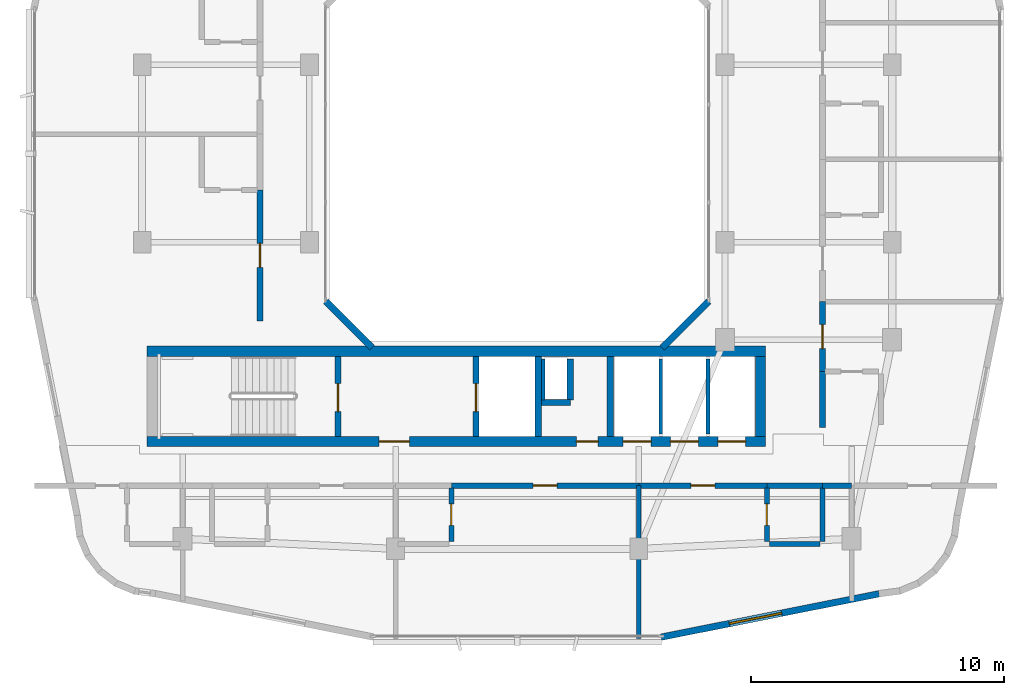
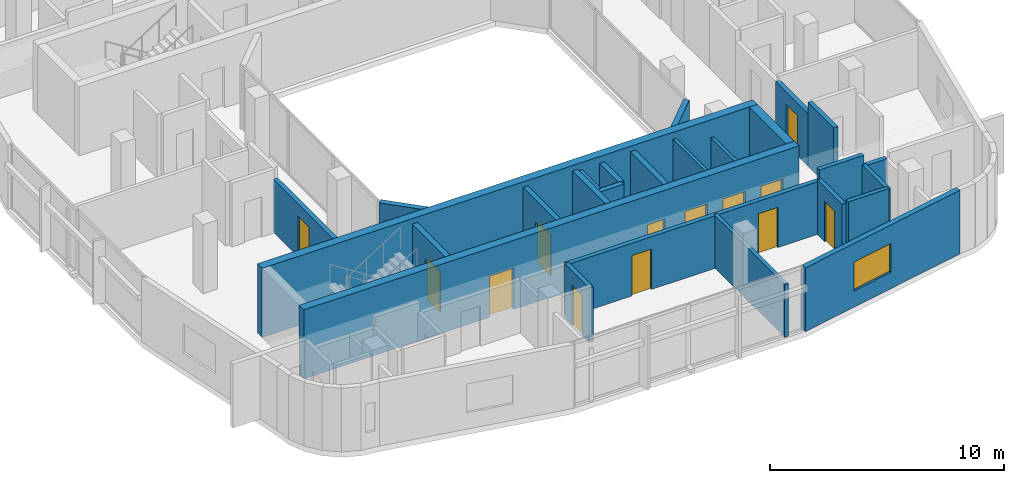
# One storey, part 7 of 14: 27 walls, 13 doors, 1 window, 14 openings.
"""IFC4 building model written with IfcOpenShell, lengths in metres."""

from ifc_helpers import new_model, si_unit, derived_unit, direction, frame, frame_2d, origin, place, context, subcontext, project, spatial, rectangle, extrude, material, layer, layer_set, type_object, element, fill, save


model = new_model("IFC4")

# Units and contexts
model_context = context("Model", 3, precision=1e-05, world=origin(), true_north=direction((0.0, 1.0)))
body_context = subcontext(model_context, "Body", "Model", "MODEL_VIEW")
ifc_project = project(units=[si_unit("LENGTHUNIT", "METRE"), si_unit("AREAUNIT", "SQUARE_METRE"), si_unit("VOLUMEUNIT", "CUBIC_METRE"), si_unit("PLANEANGLEUNIT", "RADIAN"), si_unit("MASSUNIT", "GRAM", prefix="KILO"), derived_unit("THERMALTRANSMITTANCEUNIT", [(si_unit("POWERUNIT", "WATT"), 1), (si_unit("LENGTHUNIT", "METRE"), -2), (si_unit("THERMODYNAMICTEMPERATUREUNIT", "KELVIN"), -1)])], contexts=[model_context])

# Site, building, storey
site_placement = place(None, origin())
site = spatial("IfcSite", under=ifc_project, at=site_placement, CompositionType="ELEMENT")
building_placement = place(site_placement, origin())
building = spatial("IfcBuilding", under=site, at=building_placement, Name="Kivonza Crest Hotel", CompositionType="ELEMENT")
storey_placement = place(building_placement, frame((0.0, 0.0, 227.89990234375)))
storey = spatial("IfcBuildingStorey", under=building, at=storey_placement, Name="L62", CompositionType="ELEMENT", Elevation=227.89990234375)

# Wall
ifc_material_1 = material(Name="High-density acoustic masonry inter-tenancy wall", Category="masonry")
ifc_layer_1 = layer(ifc_material_1, 0.179931640625)
ifc_layer_set_1 = layer_set([ifc_layer_1], Name="High-density acoustic masonry inter-tenancy wall")
wall_type_1 = type_object("IfcWallType", Name="WL-ACOU-180", PredefinedType="SOLIDWALL", material=ifc_layer_set_1)
wall_1_placement = place(storey_placement, frame((25.800048828125, 5.860107421875, 0.0), z_axis=(0.0, 0.0, 1.0), x_axis=(0.0, 1.0, 0.0)))
element("IfcWall", 1, at=wall_1_placement, inside=storey, type_object=wall_type_1, Name="L62 interior partition WA-L62-T1S-DIV3", PredefinedType="SOLIDWALL", context=body_context, shape_type="SweptSolid", body=[
    extrude(rectangle(XDim=6.039794921875, YDim=0.179931640625, at=frame_2d((3.02001953125, 0.0))), origin(), (0.0, 0.0, 1.0), 2.7451171875),
])

# Wall, opening, door
ifc_material_2 = material(Name="Autoclaved aerated concrete blockwork", Category="masonry")
ifc_layer_2 = layer(ifc_material_2, 0.219970703125)
ifc_layer_set_2 = layer_set([ifc_layer_2], Name="Autoclaved aerated concrete blockwork")
wall_type_2 = type_object("IfcWallType", Name="WL-ACOU-220", PredefinedType="SOLIDWALL", material=ifc_layer_set_2)
wall_2_placement = place(storey_placement, frame((18.39990234375, 11.89990234375, 0.0), z_axis=(0.0, 0.0, 1.0), x_axis=(1.0, 0.0, 0.0)))
wall_2 = element("IfcWall", 2, at=wall_2_placement, inside=storey, type_object=wall_type_2, Name="L62 interior partition WA-L62-S07-MCORR", PredefinedType="SOLIDWALL", context=body_context, shape_type="SweptSolid", body=[
    extrude(rectangle(XDim=7.400146484375, YDim=0.219970703125, at=frame_2d((3.7001953125, 0.0))), origin(), (0.0, 0.0, 1.0), 2.7451171875),
])
opening_1_placement = place(wall_2_placement, frame((3.22509765625, 0.0, 0.0)))
opening_1 = element("IfcOpeningElement", 3, at=opening_1_placement, cuts=wall_2, Name="Opening DU-60", PredefinedType="OPENING", context=body_context, shape_type="SweptSolid", body=[
    extrude(rectangle(XDim=0.949951171875, YDim=2.10009765625, at=frame_2d((0.47509765625, 1.050048828125))), frame((0.0, 0.1201171875, 0.0), z_axis=(0.0, -1.0, 0.0), x_axis=(1.0, 0.0, 0.0)), (0.0, 0.0, 1.0), 0.239990234375),
])
ifc_material_3 = material(Name="Hardwood timber oak", Category="wood")
door_type_1 = type_object("IfcDoorType", Name="DR-UNIT-950", OperationType="NOTDEFINED", PredefinedType="DOOR", material=ifc_material_3)
door_1_placement = place(opening_1_placement, frame((0.949951171875, 0.0, 0.0), z_axis=(0.0, 0.0, 1.0), x_axis=(-1.0, 0.0, 0.0)))
door_1 = element("IfcDoor", 4, at=door_1_placement, inside=storey, type_object=door_type_1, Name="L62 S07 guest unit entrance fire door", OperationType="SINGLE_SWING_LEFT", OverallHeight=2.10009765625, OverallWidth=0.949951171875, PredefinedType="DOOR", context=body_context, shape_type="SweptSolid", body=[
    extrude(rectangle(XDim=0.949951171875, YDim=2.10009765625, at=frame_2d((0.47509765625, 1.050048828125))), frame((0.0, 0.02490234375, 0.0), z_axis=(0.0, -1.0, 0.0), x_axis=(1.0, 0.0, 0.0)), (0.0, 0.0, 1.0), 0.050048828125),
])
fill(opening_1, door_1)

# Walls
wall_3_placement = place(storey_placement, frame((33.050048828125, 11.89990234375, 0.0), z_axis=(0.0, 0.0, 1.0), x_axis=(1.0, 0.0, 0.0)))
element("IfcWall", 5, at=wall_3_placement, inside=storey, type_object=wall_type_2, Name="L62 interior partition WA-L62-S08-XCORR", PredefinedType="SOLIDWALL", context=body_context, shape_type="SweptSolid", body=[
    extrude(rectangle(XDim=1.14990234375, YDim=0.219970703125, at=frame_2d((0.574951171875, 0.0))), origin(), (0.0, 0.0, 1.0), 2.7451171875),
])
wall_4_placement = place(storey_placement, frame((30.85009765625, 11.89990234375, 0.0), z_axis=(0.0, 0.0, 1.0), x_axis=(1.0, 0.0, 0.0)))
element("IfcWall", 6, at=wall_4_placement, inside=storey, type_object=wall_type_2, Name="L62 interior partition WA-L62-S08-BCORR", PredefinedType="SOLIDWALL", context=body_context, shape_type="SweptSolid", body=[
    extrude(rectangle(XDim=2.199951171875, YDim=0.219970703125, at=frame_2d((1.10009765625, 0.0))), origin(), (0.0, 0.0, 1.0), 3.320068359375),
])

# Wall, opening, door
wall_5_placement = place(storey_placement, frame((25.800048828125, 11.89990234375, 0.0), z_axis=(0.0, 0.0, 1.0), x_axis=(1.0, 0.0, 0.0)))
wall_5 = element("IfcWall", 7, at=wall_5_placement, inside=storey, type_object=wall_type_2, Name="L62 interior partition WA-L62-S08-MCORR", PredefinedType="SOLIDWALL", context=body_context, shape_type="SweptSolid", body=[
    extrude(rectangle(XDim=5.050048828125, YDim=0.219970703125, at=frame_2d((2.52490234375, 0.0))), origin(), (0.0, 0.0, 1.0), 2.7451171875),
])
opening_2_placement = place(wall_5_placement, frame((2.050048828125, 0.0, 0.0)))
opening_2 = element("IfcOpeningElement", 8, at=opening_2_placement, cuts=wall_5, Name="Opening DU-60", PredefinedType="OPENING", context=body_context, shape_type="SweptSolid", body=[
    extrude(rectangle(XDim=0.949951171875, YDim=2.10009765625, at=frame_2d((0.47509765625, 1.050048828125))), frame((0.0, 0.1201171875, 0.0), z_axis=(0.0, -1.0, 0.0), x_axis=(1.0, 0.0, 0.0)), (0.0, 0.0, 1.0), 0.239990234375),
])
door_2_placement = place(opening_2_placement, frame((0.949951171875, 0.0, 0.0), z_axis=(0.0, 0.0, 1.0), x_axis=(-1.0, 0.0, 0.0)))
door_2 = element("IfcDoor", 9, at=door_2_placement, inside=storey, type_object=door_type_1, Name="L62 S08 guest unit entrance fire door", OperationType="SINGLE_SWING_RIGHT", OverallHeight=2.10009765625, OverallWidth=0.949951171875, PredefinedType="DOOR", context=body_context, shape_type="SweptSolid", body=[
    extrude(rectangle(XDim=0.949951171875, YDim=2.10009765625, at=frame_2d((0.47509765625, 1.050048828125))), frame((0.0, 0.02490234375, 0.0), z_axis=(0.0, -1.0, 0.0), x_axis=(1.0, 0.0, 0.0)), (0.0, 0.0, 1.0), 0.050048828125),
])
fill(opening_2, door_2)

wall_6_placement = place(storey_placement, frame((10.85009765625, 18.39990234375, 0.0), z_axis=(0.0, 0.0, 1.0), x_axis=(0.0, 1.0, 0.0)))
wall_6 = element("IfcWall", 10, at=wall_6_placement, inside=storey, type_object=wall_type_2, Name="L62 interior partition WA-L62-W09-MCORR", PredefinedType="SOLIDWALL", context=body_context, shape_type="SweptSolid", body=[
    extrude(rectangle(XDim=5.170166015625, YDim=0.219970703125, at=frame_2d((2.5849609375, 0.0))), origin(), (0.0, 0.0, 1.0), 2.7451171875),
])
opening_3_placement = place(wall_6_placement, frame((2.110107421875, 0.0, 0.0)))
opening_3 = element("IfcOpeningElement", 11, at=opening_3_placement, cuts=wall_6, Name="Opening DU-60", PredefinedType="OPENING", context=body_context, shape_type="SweptSolid", body=[
    extrude(rectangle(XDim=0.949951171875, YDim=2.10009765625, at=frame_2d((0.47509765625, 1.050048828125))), frame((0.0, 0.1201171875, 0.0), z_axis=(0.0, -1.0, 0.0), x_axis=(1.0, 0.0, 0.0)), (0.0, 0.0, 1.0), 0.239990234375),
])
door_3_placement = place(opening_3_placement, origin())
door_3 = element("IfcDoor", 12, at=door_3_placement, inside=storey, type_object=door_type_1, Name="L62 W09 guest unit entrance fire door", OperationType="SINGLE_SWING_LEFT", OverallHeight=2.10009765625, OverallWidth=0.949951171875, PredefinedType="DOOR", context=body_context, shape_type="SweptSolid", body=[
    extrude(rectangle(XDim=0.949951171875, YDim=2.10009765625, at=frame_2d((0.47509765625, 1.050048828125))), frame((0.0, 0.02490234375, 0.0), z_axis=(0.0, -1.0, 0.0), x_axis=(1.0, 0.0, 0.0)), (0.0, 0.0, 1.0), 0.050048828125),
])
fill(opening_3, door_3)

# Wall
wall_7_placement = place(storey_placement, frame((33.050048828125, 14.199951171875, 0.0), z_axis=(0.0, 0.0, 1.0), x_axis=(0.0, 1.0, 0.0)))
element("IfcWall", 13, at=wall_7_placement, inside=storey, type_object=wall_type_2, Name="L62 interior partition WA-L62-E11-BCORR", PredefinedType="SOLIDWALL", context=body_context, shape_type="SweptSolid", body=[
    extrude(rectangle(XDim=2.199951171875, YDim=0.219970703125, at=frame_2d((1.10009765625, 0.0))), origin(), (0.0, 0.0, 1.0), 3.320068359375),
])

# Wall, opening, door
wall_8_placement = place(storey_placement, frame((33.050048828125, 16.39990234375, 0.0), z_axis=(0.0, 0.0, 1.0), x_axis=(0.0, 1.0, 0.0)))
wall_8 = element("IfcWall", 14, at=wall_8_placement, inside=storey, type_object=wall_type_2, Name="L62 interior partition WA-L62-E11-MCORR", PredefinedType="SOLIDWALL", context=body_context, shape_type="SweptSolid", body=[
    extrude(rectangle(XDim=2.756103515625, YDim=0.219970703125, at=frame_2d((1.3779296875, 0.0))), origin(), (0.0, 0.0, 1.0), 2.7451171875),
])
opening_4_placement = place(wall_8_placement, frame((0.903076171875, 0.0, 0.0)))
opening_4 = element("IfcOpeningElement", 15, at=opening_4_placement, cuts=wall_8, Name="Opening DU-60", PredefinedType="OPENING", context=body_context, shape_type="SweptSolid", body=[
    extrude(rectangle(XDim=0.949951171875, YDim=2.10009765625, at=frame_2d((0.47509765625, 1.050048828125))), frame((0.0, 0.1201171875, 0.0), z_axis=(0.0, -1.0, 0.0), x_axis=(1.0, 0.0, 0.0)), (0.0, 0.0, 1.0), 0.239990234375),
])
door_4_placement = place(opening_4_placement, frame((0.949951171875, 0.0, 0.0), z_axis=(0.0, 0.0, 1.0), x_axis=(-1.0, 0.0, 0.0)))
door_4 = element("IfcDoor", 16, at=door_4_placement, inside=storey, type_object=door_type_1, Name="L62 E11 guest unit entrance fire door", OperationType="SINGLE_SWING_LEFT", OverallHeight=2.10009765625, OverallWidth=0.949951171875, PredefinedType="DOOR", context=body_context, shape_type="SweptSolid", body=[
    extrude(rectangle(XDim=0.949951171875, YDim=2.10009765625, at=frame_2d((0.47509765625, 1.050048828125))), frame((0.0, 0.02490234375, 0.0), z_axis=(0.0, -1.0, 0.0), x_axis=(1.0, 0.0, 0.0)), (0.0, 0.0, 1.0), 0.050048828125),
])
fill(opening_4, door_4)

# Wall, openings, doors
ifc_material_4 = material(Name="Concrete C50/60", Category="concrete")
ifc_layer_3 = layer(ifc_material_4, 0.39990234375)
ifc_layer_set_3 = layer_set([ifc_layer_3], Name="Concrete C50/60")
wall_type_3 = type_object("IfcWallType", Name="WL-CORE-400", PredefinedType="SHEAR", material=ifc_layer_set_3)
wall_9_placement = place(storey_placement, frame((6.39990234375, 13.639892578125, 0.0), z_axis=(0.0, 0.0, 1.0), x_axis=(1.0, 0.0, 0.0)))
wall_9 = element("IfcWall", 17, at=wall_9_placement, inside=storey, type_object=wall_type_3, Name="Core wall T1-S South L62", PredefinedType="SHEAR", context=body_context, shape_type="SweptSolid", body=[
    extrude(rectangle(XDim=24.400146484375, YDim=0.39990234375, at=frame_2d((12.2001953125, 0.0))), origin(), (0.0, 0.0, 1.0), 3.60009765625),
])
opening_5_placement = place(wall_9_placement, frame((9.14990234375, 0.0, 0.0)))
opening_5 = element("IfcOpeningElement", 18, at=opening_5_placement, cuts=wall_9, Name="Opening DF-60", PredefinedType="OPENING", context=body_context, shape_type="SweptSolid", body=[
    extrude(rectangle(XDim=1.199951171875, YDim=2.14990234375, at=frame_2d((0.60009765625, 1.074951171875))), frame((0.0, 0.2099609375, 0.0), z_axis=(0.0, -1.0, 0.0), x_axis=(1.0, 0.0, 0.0)), (0.0, 0.0, 1.0), 0.419921875),
])
opening_6_placement = place(wall_9_placement, frame((16.93994140625, 0.0, 0.0)))
opening_6 = element("IfcOpeningElement", 19, at=opening_6_placement, cuts=wall_9, Name="Opening DF-60R", PredefinedType="OPENING", context=body_context, shape_type="SweptSolid", body=[
    extrude(rectangle(XDim=0.85009765625, YDim=2.10009765625, at=frame_2d((0.425048828125, 1.050048828125))), frame((0.0, 0.2099609375, 0.0), z_axis=(0.0, -1.0, 0.0), x_axis=(1.0, 0.0, 0.0)), (0.0, 0.0, 1.0), 0.419921875),
])
opening_7_placement = place(wall_9_placement, frame((18.782958984375, 0.0, 0.0)))
opening_7 = element("IfcOpeningElement", 20, at=opening_7_placement, cuts=wall_9, Name="Opening LD-120", PredefinedType="OPENING", context=body_context, shape_type="SweptSolid", body=[
    extrude(rectangle(XDim=1.10009765625, YDim=2.14990234375, at=frame_2d((0.550048828125, 1.074951171875))), frame((0.0, 0.2099609375, 0.0), z_axis=(0.0, -1.0, 0.0), x_axis=(1.0, 0.0, 0.0)), (0.0, 0.0, 1.0), 0.419921875),
])
opening_8_placement = place(wall_9_placement, frame((20.64990234375, 0.0, 0.0)))
opening_8 = element("IfcOpeningElement", 21, at=opening_8_placement, cuts=wall_9, Name="Opening LD-120", PredefinedType="OPENING", context=body_context, shape_type="SweptSolid", body=[
    extrude(rectangle(XDim=1.10009765625, YDim=2.14990234375, at=frame_2d((0.550048828125, 1.074951171875))), frame((0.0, 0.2099609375, 0.0), z_axis=(0.0, -1.0, 0.0), x_axis=(1.0, 0.0, 0.0)), (0.0, 0.0, 1.0), 0.419921875),
])
opening_9_placement = place(wall_9_placement, frame((22.51708984375, 0.0, 0.0)))
opening_9 = element("IfcOpeningElement", 22, at=opening_9_placement, cuts=wall_9, Name="Opening LD-120", PredefinedType="OPENING", context=body_context, shape_type="SweptSolid", body=[
    extrude(rectangle(XDim=1.10009765625, YDim=2.14990234375, at=frame_2d((0.550048828125, 1.074951171875))), frame((0.0, 0.2099609375, 0.0), z_axis=(0.0, -1.0, 0.0), x_axis=(1.0, 0.0, 0.0)), (0.0, 0.0, 1.0), 0.419921875),
])
door_type_2 = type_object("IfcDoorType", Name="DR-FD60-1200", OperationType="NOTDEFINED", PredefinedType="DOOR", material=ifc_material_3)
door_5_placement = place(opening_5_placement, frame((1.199951171875, 0.0, 0.0), z_axis=(0.0, 0.0, 1.0), x_axis=(-1.0, 0.0, 0.0)))
door_5 = element("IfcDoor", 23, at=door_5_placement, inside=storey, type_object=door_type_2, Name="L62 T1-S firefighting lobby fire door", OperationType="SINGLE_SWING_LEFT", OverallHeight=2.14990234375, OverallWidth=1.199951171875, PredefinedType="DOOR", context=body_context, shape_type="SweptSolid", body=[
    extrude(rectangle(XDim=1.199951171875, YDim=2.14990234375, at=frame_2d((0.60009765625, 1.074951171875))), frame((0.0, 0.02490234375, 0.0), z_axis=(0.0, -1.0, 0.0), x_axis=(1.0, 0.0, 0.0)), (0.0, 0.0, 1.0), 0.050048828125),
])
fill(opening_5, door_5)
door_type_3 = type_object("IfcDoorType", Name="DR-FD60-850", OperationType="NOTDEFINED", PredefinedType="DOOR", material=ifc_material_3)
door_6_placement = place(opening_6_placement, frame((0.85009765625, 0.0, 0.0), z_axis=(0.0, 0.0, 1.0), x_axis=(-1.0, 0.0, 0.0)))
door_6 = element("IfcDoor", 24, at=door_6_placement, inside=storey, type_object=door_type_3, Name="L62 T1-S core room door", OperationType="SINGLE_SWING_RIGHT", OverallHeight=2.10009765625, OverallWidth=0.85009765625, PredefinedType="DOOR", context=body_context, shape_type="SweptSolid", body=[
    extrude(rectangle(XDim=0.85009765625, YDim=2.10009765625, at=frame_2d((0.425048828125, 1.050048828125))), frame((0.0, 0.02490234375, 0.0), z_axis=(0.0, -1.0, 0.0), x_axis=(1.0, 0.0, 0.0)), (0.0, 0.0, 1.0), 0.050048828125),
])
fill(opening_6, door_6)
ifc_material_5 = material(Name="Stainless steel", Category="steel")
door_type_4 = type_object("IfcDoorType", Name="DR-LD120-1100", OperationType="NOTDEFINED", PredefinedType="DOOR", material=ifc_material_5)
door_7_placement = place(opening_7_placement, frame((1.10009765625, 0.0, 0.0), z_axis=(0.0, 0.0, 1.0), x_axis=(-1.0, 0.0, 0.0)))
door_7 = element("IfcDoor", 25, at=door_7_placement, inside=storey, type_object=door_type_4, Name="L62 PL-T1-H1 passenger lift sliding landing door", OperationType="DOUBLE_DOOR_SLIDING", OverallHeight=2.14990234375, OverallWidth=1.10009765625, PredefinedType="DOOR", context=body_context, shape_type="SweptSolid", body=[
    extrude(rectangle(XDim=1.10009765625, YDim=2.14990234375, at=frame_2d((0.550048828125, 1.074951171875))), frame((0.0, 0.02490234375, 0.0), z_axis=(0.0, -1.0, 0.0), x_axis=(1.0, 0.0, 0.0)), (0.0, 0.0, 1.0), 0.050048828125),
])
fill(opening_7, door_7)
door_8_placement = place(opening_8_placement, frame((1.10009765625, 0.0, 0.0), z_axis=(0.0, 0.0, 1.0), x_axis=(-1.0, 0.0, 0.0)))
door_8 = element("IfcDoor", 26, at=door_8_placement, inside=storey, type_object=door_type_4, Name="L62 PL-T1-H2 passenger lift sliding landing door", OperationType="DOUBLE_DOOR_SLIDING", OverallHeight=2.14990234375, OverallWidth=1.10009765625, PredefinedType="DOOR", context=body_context, shape_type="SweptSolid", body=[
    extrude(rectangle(XDim=1.10009765625, YDim=2.14990234375, at=frame_2d((0.550048828125, 1.074951171875))), frame((0.0, 0.02490234375, 0.0), z_axis=(0.0, -1.0, 0.0), x_axis=(1.0, 0.0, 0.0)), (0.0, 0.0, 1.0), 0.050048828125),
])
fill(opening_8, door_8)
door_9_placement = place(opening_9_placement, frame((1.10009765625, 0.0, 0.0), z_axis=(0.0, 0.0, 1.0), x_axis=(-1.0, 0.0, 0.0)))
door_9 = element("IfcDoor", 27, at=door_9_placement, inside=storey, type_object=door_type_4, Name="L62 PL-T1-H3 passenger lift sliding landing door", OperationType="DOUBLE_DOOR_SLIDING", OverallHeight=2.14990234375, OverallWidth=1.10009765625, PredefinedType="DOOR", context=body_context, shape_type="SweptSolid", body=[
    extrude(rectangle(XDim=1.10009765625, YDim=2.14990234375, at=frame_2d((0.550048828125, 1.074951171875))), frame((0.0, 0.02490234375, 0.0), z_axis=(0.0, -1.0, 0.0), x_axis=(1.0, 0.0, 0.0)), (0.0, 0.0, 1.0), 0.050048828125),
])
fill(opening_9, door_9)

# Walls
wall_10_placement = place(storey_placement, frame((6.39990234375, 17.199951171875, 0.0), z_axis=(0.0, 0.0, 1.0), x_axis=(1.0, 0.0, 0.0)))
element("IfcWall", 28, at=wall_10_placement, inside=storey, type_object=wall_type_3, Name="Core wall T1-S North L62", PredefinedType="SHEAR", context=body_context, shape_type="SweptSolid", body=[
    extrude(rectangle(XDim=24.400146484375, YDim=0.39990234375, at=frame_2d((12.2001953125, 0.0))), origin(), (0.0, 0.0, 1.0), 3.60009765625),
])
wall_11_placement = place(storey_placement, frame((30.60009765625, 13.840087890625, 0.0), z_axis=(0.0, 0.0, 1.0), x_axis=(0.0, 1.0, 0.0)))
element("IfcWall", 29, at=wall_11_placement, inside=storey, type_object=wall_type_3, Name="Core wall T1-S East L62", PredefinedType="SHEAR", context=body_context, shape_type="SweptSolid", body=[
    extrude(rectangle(XDim=3.159912109375, YDim=0.39990234375, at=frame_2d((1.580078125, 0.0))), origin(), (0.0, 0.0, 1.0), 3.60009765625),
])

# Wall, opening, window
ifc_material_6 = material(Name="Precast concrete C40/50", Category="concrete")
ifc_layer_4 = layer(ifc_material_6, 0.260009765625)
ifc_layer_set_4 = layer_set([ifc_layer_4], Name="Precast concrete C40/50")
wall_type_4 = type_object("IfcWallType", Name="WL-EXT-260", PredefinedType="STANDARD", material=ifc_layer_set_4)
wall_12_placement = place(storey_placement, frame((26.680908203125, 5.916015625, 0.0), z_axis=(0.0, 0.0, 1.0), x_axis=(0.980745199176, 0.195291715883, 0.0)))
wall_12 = element("IfcWall", 30, at=wall_12_placement, inside=storey, type_object=wall_type_4, Name="L62 T1 exterior insulated wall 9", PredefinedType="STANDARD", context=body_context, shape_type="SweptSolid", body=[
    extrude(rectangle(XDim=8.77099609375, YDim=0.260009765625, at=frame_2d((4.385498046875, 0.0))), origin(), (0.0, 0.0, 1.0), 3.320068359375),
])
opening_10_placement = place(wall_12_placement, frame((2.74609375, 0.0, 0.85009765625)))
opening_10 = element("IfcOpeningElement", 31, at=opening_10_placement, cuts=wall_12, Name="Opening WN-04", PredefinedType="OPENING", context=body_context, shape_type="SweptSolid", body=[
    extrude(rectangle(XDim=2.10009765625, YDim=1.5, at=frame_2d((1.050048828125, 0.75))), frame((0.0, 0.14013671875, 0.0), z_axis=(0.0, -1.0, 0.0), x_axis=(1.0, 0.0, 0.0)), (0.0, 0.0, 1.0), 0.280029296875),
])
ifc_material_7 = material(Name="Thermally broken bronze aluminium and low-E double glazing", Category="aluminium")
window_type = type_object("IfcWindowType", Name="WN-210x150", PartitioningType="DOUBLE_PANEL_VERTICAL", PredefinedType="WINDOW", material=ifc_material_7)
window_placement = place(opening_10_placement, origin())
window = element("IfcWindow", 32, at=window_placement, inside=storey, type_object=window_type, Name="L62 T1 facade window 9", OverallHeight=1.5, OverallWidth=2.10009765625, PartitioningType="SINGLE_PANEL", PredefinedType="WINDOW", context=body_context, shape_type="SweptSolid", body=[
    extrude(rectangle(XDim=2.10009765625, YDim=1.5, at=frame_2d((1.050048828125, 0.75))), frame((0.0, 0.030029296875, 0.0), z_axis=(0.0, -1.0, 0.0), x_axis=(1.0, 0.0, 0.0)), (0.0, 0.0, 1.0), 0.06005859375),
])
fill(opening_10, window)

# Walls
for number, where, z_axis, x_axis, name in (
    (33, (26.721923828125, 17.337890625, 0.0), (0.0, 0.0, 1.0), (0.707059717605, 0.707153841636, 0.0), "L62 T1 light-well exterior wall 2"),
    (34, (13.444091796875, 19.172119140625, 0.0), (0.0, 0.0, 1.0), (0.707059717605, -0.707153841636, 0.0), "L62 T1 light-well exterior wall 8"),
):
    element("IfcWall", number, at=place(storey_placement, frame(where, z_axis=z_axis, x_axis=x_axis)), inside=storey, type_object=wall_type_4, Name=name, PredefinedType="STANDARD", context=body_context, shape_type="SweptSolid", body=[
        extrude(rectangle(XDim=2.59375, YDim=0.260009765625, at=frame_2d((1.296875, 0.0))), origin(), (0.0, 0.0, 1.0), 3.320068359375),
    ])
ifc_material_8 = material(Name="Concrete blockwork fire-compartment wall", Category="masonry")
ifc_layer_5 = layer(ifc_material_8, 0.25)
ifc_layer_set_5 = layer_set([ifc_layer_5], Name="Concrete blockwork fire-compartment wall")
wall_type_5 = type_object("IfcWallType", Name="WL-FIRE-250", PredefinedType="SOLIDWALL", material=ifc_layer_set_5)
wall_13_placement = place(storey_placement, frame((23.10009765625, 15.280029296875, 0.0), z_axis=(0.0, 0.0, 1.0), x_axis=(0.0, 1.0, 0.0)))
element("IfcWall", 35, at=wall_13_placement, inside=storey, type_object=wall_type_5, Name="L62 interior partition WA-L62-T1-S-MEPR-E", PredefinedType="SOLIDWALL", context=body_context, shape_type="SweptSolid", body=[
    extrude(rectangle(XDim=1.619873046875, YDim=0.25, at=frame_2d((0.81005859375, 0.0))), origin(), (0.0, 0.0, 1.0), 3.320068359375),
])
wall_14_placement = place(storey_placement, frame((21.949951171875, 15.179931640625, 0.0), z_axis=(0.0, 0.0, 1.0), x_axis=(1.0, 0.0, 0.0)))
element("IfcWall", 36, at=wall_14_placement, inside=storey, type_object=wall_type_5, Name="L62 interior partition WA-L62-T1-S-MEPR-H", PredefinedType="SOLIDWALL", context=body_context, shape_type="SweptSolid", body=[
    extrude(rectangle(XDim=1.150146484375, YDim=0.25, at=frame_2d((0.5751953125, 0.0))), origin(), (0.0, 0.0, 1.0), 3.320068359375),
])
ifc_material_9 = material(Name="Twin-stud acoustic gypsum board partition", Category="gypsum")
ifc_layer_6 = layer(ifc_material_9, 0.14990234375)
ifc_layer_set_6 = layer_set([ifc_layer_6], Name="Twin-stud acoustic gypsum board partition")
wall_type_6 = type_object("IfcWallType", Name="WL-PART-150", PredefinedType="PARTITIONING", material=ifc_layer_set_6)
wall_15_placement = place(storey_placement, frame((22.030029296875, 15.280029296875, 0.0), z_axis=(0.0, 0.0, 1.0), x_axis=(0.0, 1.0, 0.0)))
element("IfcWall", 37, at=wall_15_placement, inside=storey, type_object=wall_type_6, Name="L62 interior partition WA-L62-T1-S-MEPR-W", PredefinedType="PARTITIONING", context=body_context, shape_type="SweptSolid", body=[
    extrude(rectangle(XDim=1.619873046875, YDim=0.14990234375, at=frame_2d((0.81005859375, 0.0))), origin(), (0.0, 0.0, 1.0), 3.320068359375),
])
wall_16_placement = place(storey_placement, frame((26.6669921875, 13.93994140625, 0.0), z_axis=(0.0, 0.0, 1.0), x_axis=(0.0, 1.0, 0.0)))
element("IfcWall", 38, at=wall_16_placement, inside=storey, type_object=wall_type_6, Name="L62 interior partition WP-L62-T1-S-BSH-1", PredefinedType="PARTITIONING", context=body_context, shape_type="SweptSolid", body=[
    extrude(rectangle(XDim=2.9599609375, YDim=0.14990234375, at=frame_2d((1.47998046875, 0.0))), origin(), (0.0, 0.0, 1.0), 3.320068359375),
])
wall_17_placement = place(storey_placement, frame((28.532958984375, 13.93994140625, 0.0), z_axis=(0.0, 0.0, 1.0), x_axis=(0.0, 1.0, 0.0)))
element("IfcWall", 39, at=wall_17_placement, inside=storey, type_object=wall_type_6, Name="L62 interior partition WP-L62-T1-S-BSH-2", PredefinedType="PARTITIONING", context=body_context, shape_type="SweptSolid", body=[
    extrude(rectangle(XDim=2.9599609375, YDim=0.14990234375, at=frame_2d((1.47998046875, 0.0))), origin(), (0.0, 0.0, 1.0), 2.7451171875),
])

# Wall, opening, door
ifc_material_10 = material(Name="Moisture-resistant plumbing chase partition wall", Category="gypsum")
ifc_layer_7 = layer(ifc_material_10, 0.199951171875)
ifc_layer_set_7 = layer_set([ifc_layer_7], Name="Moisture-resistant plumbing chase partition wall")
wall_type_7 = type_object("IfcWallType", Name="WL-PLUMB-200", PredefinedType="PLUMBINGWALL", material=ifc_layer_set_7)
wall_18_placement = place(storey_placement, frame((18.39990234375, 9.699951171875, 0.0), z_axis=(0.0, 0.0, 1.0), x_axis=(0.0, 1.0, 0.0)))
wall_18 = element("IfcWall", 40, at=wall_18_placement, inside=storey, type_object=wall_type_7, Name="L62 interior partition WW-L62-S07-BV", PredefinedType="PLUMBINGWALL", context=body_context, shape_type="SweptSolid", body=[
    extrude(rectangle(XDim=2.10009765625, YDim=0.199951171875, at=frame_2d((1.050048828125, 0.0))), origin(), (0.0, 0.0, 1.0), 2.84521484375),
])
opening_11_placement = place(wall_18_placement, frame((0.625, 0.0, 0.0)))
opening_11 = element("IfcOpeningElement", 41, at=opening_11_placement, cuts=wall_18, Name="Opening DI-85", PredefinedType="OPENING", context=body_context, shape_type="SweptSolid", body=[
    extrude(rectangle(XDim=0.85009765625, YDim=2.10009765625, at=frame_2d((0.425048828125, 1.050048828125))), frame((0.0, 0.10986328125, 0.0), z_axis=(0.0, -1.0, 0.0), x_axis=(1.0, 0.0, 0.0)), (0.0, 0.0, 1.0), 0.219970703125),
])
door_type_5 = type_object("IfcDoorType", Name="DR-INT-850", OperationType="NOTDEFINED", PredefinedType="DOOR", material=ifc_material_3)
door_10_placement = place(opening_11_placement, frame((0.85009765625, 0.0, 0.0), z_axis=(0.0, 0.0, 1.0), x_axis=(-1.0, 0.0, 0.0)))
door_10 = element("IfcDoor", 42, at=door_10_placement, inside=storey, type_object=door_type_5, Name="L62 S07 en-suite bathroom door", OperationType="SINGLE_SWING_RIGHT", OverallHeight=2.10009765625, OverallWidth=0.85009765625, PredefinedType="DOOR", context=body_context, shape_type="SweptSolid", body=[
    extrude(rectangle(XDim=0.85009765625, YDim=2.10009765625, at=frame_2d((0.425048828125, 1.050048828125))), frame((0.0, 0.02490234375, 0.0), z_axis=(0.0, -1.0, 0.0), x_axis=(1.0, 0.0, 0.0)), (0.0, 0.0, 1.0), 0.050048828125),
])
fill(opening_11, door_10)

wall_19_placement = place(storey_placement, frame((30.85009765625, 9.699951171875, 0.0), z_axis=(0.0, 0.0, 1.0), x_axis=(0.0, 1.0, 0.0)))
wall_19 = element("IfcWall", 43, at=wall_19_placement, inside=storey, type_object=wall_type_7, Name="L62 interior partition WW-L62-S08-BV", PredefinedType="PLUMBINGWALL", context=body_context, shape_type="SweptSolid", body=[
    extrude(rectangle(XDim=2.10009765625, YDim=0.199951171875, at=frame_2d((1.050048828125, 0.0))), origin(), (0.0, 0.0, 1.0), 2.84521484375),
])
opening_12_placement = place(wall_19_placement, frame((0.625, 0.0, 0.0)))
opening_12 = element("IfcOpeningElement", 44, at=opening_12_placement, cuts=wall_19, Name="Opening DI-85", PredefinedType="OPENING", context=body_context, shape_type="SweptSolid", body=[
    extrude(rectangle(XDim=0.85009765625, YDim=2.10009765625, at=frame_2d((0.425048828125, 1.050048828125))), frame((0.0, 0.10986328125, 0.0), z_axis=(0.0, -1.0, 0.0), x_axis=(1.0, 0.0, 0.0)), (0.0, 0.0, 1.0), 0.219970703125),
])
door_11_placement = place(opening_12_placement, origin())
door_11 = element("IfcDoor", 45, at=door_11_placement, inside=storey, type_object=door_type_5, Name="L62 S08 en-suite bathroom door", OperationType="SINGLE_SWING_LEFT", OverallHeight=2.10009765625, OverallWidth=0.85009765625, PredefinedType="DOOR", context=body_context, shape_type="SweptSolid", body=[
    extrude(rectangle(XDim=0.85009765625, YDim=2.10009765625, at=frame_2d((0.425048828125, 1.050048828125))), frame((0.0, 0.02490234375, 0.0), z_axis=(0.0, -1.0, 0.0), x_axis=(1.0, 0.0, 0.0)), (0.0, 0.0, 1.0), 0.050048828125),
])
fill(opening_12, door_11)

# Walls
wall_20_placement = place(storey_placement, frame((30.949951171875, 9.60009765625, 0.0), z_axis=(0.0, 0.0, 1.0), x_axis=(1.0, 0.0, 0.0)))
element("IfcWall", 46, at=wall_20_placement, inside=storey, type_object=wall_type_7, Name="L62 interior partition WW-L62-S08-BH", PredefinedType="PLUMBINGWALL", context=body_context, shape_type="SweptSolid", body=[
    extrude(rectangle(XDim=2.0, YDim=0.199951171875, at=frame_2d((1.0, 0.0))), origin(), (0.0, 0.0, 1.0), 3.01513671875),
])
wall_21_placement = place(storey_placement, frame((33.050048828125, 9.699951171875, 0.0), z_axis=(0.0, 0.0, 1.0), x_axis=(0.0, 1.0, 0.0)))
element("IfcWall", 47, at=wall_21_placement, inside=storey, type_object=wall_type_7, Name="L62 interior partition WW-L62-S08-BVE", PredefinedType="PLUMBINGWALL", context=body_context, shape_type="SweptSolid", body=[
    extrude(rectangle(XDim=2.10009765625, YDim=0.199951171875, at=frame_2d((1.050048828125, 0.0))), origin(), (0.0, 0.0, 1.0), 2.84521484375),
])

# Wall, opening, door
ifc_layer_8 = layer(ifc_material_4, 0.25)
ifc_layer_set_8 = layer_set([ifc_layer_8], Name="Concrete C50/60")
wall_type_8 = type_object("IfcWallType", Name="WL-SHAFT-250", PredefinedType="STANDARD", material=ifc_layer_set_8)
wall_22_placement = place(storey_placement, frame((13.925048828125, 13.840087890625, 0.0), z_axis=(0.0, 0.0, 1.0), x_axis=(0.0, 1.0, 0.0)))
wall_22 = element("IfcWall", 48, at=wall_22_placement, inside=storey, type_object=wall_type_8, Name="Core shaft wall T1-S STAIR L62", PredefinedType="STANDARD", context=body_context, shape_type="SweptSolid", body=[
    extrude(rectangle(XDim=3.159912109375, YDim=0.25, at=frame_2d((1.580078125, 0.0))), origin(), (0.0, 0.0, 1.0), 3.320068359375),
])
opening_13_placement = place(wall_22_placement, frame((0.97998046875, 0.0, 0.0)))
opening_13 = element("IfcOpeningElement", 49, at=opening_13_placement, cuts=wall_22, Name="Opening DF-120", PredefinedType="OPENING", context=body_context, shape_type="SweptSolid", body=[
    extrude(rectangle(XDim=1.10009765625, YDim=2.14990234375, at=frame_2d((0.550048828125, 1.074951171875))), frame((0.0, 0.135009765625, 0.0), z_axis=(0.0, -1.0, 0.0), x_axis=(1.0, 0.0, 0.0)), (0.0, 0.0, 1.0), 0.27001953125),
])
ifc_material_11 = material(Name="Galvanised steel", Category="steel")
door_type_6 = type_object("IfcDoorType", Name="DR-FD120-1100", OperationType="NOTDEFINED", PredefinedType="DOOR", material=ifc_material_11)
door_12_placement = place(opening_13_placement, frame((1.10009765625, 0.0, 0.0), z_axis=(0.0, 0.0, 1.0), x_axis=(-1.0, 0.0, 0.0)))
door_12 = element("IfcDoor", 50, at=door_12_placement, inside=storey, type_object=door_type_6, Name="L62 T1-S stair fire door", OperationType="SINGLE_SWING_RIGHT", OverallHeight=2.14990234375, OverallWidth=1.10009765625, PredefinedType="DOOR", context=body_context, shape_type="SweptSolid", body=[
    extrude(rectangle(XDim=1.10009765625, YDim=2.14990234375, at=frame_2d((0.550048828125, 1.074951171875))), frame((0.0, 0.02490234375, 0.0), z_axis=(0.0, -1.0, 0.0), x_axis=(1.0, 0.0, 0.0)), (0.0, 0.0, 1.0), 0.050048828125),
])
fill(opening_13, door_12)

wall_23_placement = place(storey_placement, frame((19.375, 13.840087890625, 0.0), z_axis=(0.0, 0.0, 1.0), x_axis=(0.0, 1.0, 0.0)))
wall_23 = element("IfcWall", 51, at=wall_23_placement, inside=storey, type_object=wall_type_8, Name="Core shaft wall T1-S FFL-W L62", PredefinedType="STANDARD", context=body_context, shape_type="SweptSolid", body=[
    extrude(rectangle(XDim=3.159912109375, YDim=0.25, at=frame_2d((1.580078125, 0.0))), origin(), (0.0, 0.0, 1.0), 3.320068359375),
])
opening_14_placement = place(wall_23_placement, frame((0.97998046875, 0.0, 0.0)))
opening_14 = element("IfcOpeningElement", 52, at=opening_14_placement, cuts=wall_23, Name="Opening LD-120", PredefinedType="OPENING", context=body_context, shape_type="SweptSolid", body=[
    extrude(rectangle(XDim=1.10009765625, YDim=2.14990234375, at=frame_2d((0.550048828125, 1.074951171875))), frame((0.0, 0.135009765625, 0.0), z_axis=(0.0, -1.0, 0.0), x_axis=(1.0, 0.0, 0.0)), (0.0, 0.0, 1.0), 0.27001953125),
])
door_13_placement = place(opening_14_placement, origin())
door_13 = element("IfcDoor", 53, at=door_13_placement, inside=storey, type_object=door_type_4, Name="L62 FFL-T1-S firefighting lift sliding landing door", OperationType="DOUBLE_DOOR_SLIDING", OverallHeight=2.14990234375, OverallWidth=1.10009765625, PredefinedType="DOOR", context=body_context, shape_type="SweptSolid", body=[
    extrude(rectangle(XDim=1.10009765625, YDim=2.14990234375, at=frame_2d((0.550048828125, 1.074951171875))), frame((0.0, 0.02490234375, 0.0), z_axis=(0.0, -1.0, 0.0), x_axis=(1.0, 0.0, 0.0)), (0.0, 0.0, 1.0), 0.050048828125),
])
fill(opening_14, door_13)

# Walls
for number, where, z_axis, x_axis, name in (
    (54, (21.824951171875, 13.840087890625, 0.0), (0.0, 0.0, 1.0), (0.0, 1.0, 0.0), "Core shaft wall T1-S FFL-E L62"),
    (55, (24.675048828125, 13.840087890625, 0.0), (0.0, 0.0, 1.0), (0.0, 1.0, 0.0), "Core shaft wall T1-S BANK-W L62"),
):
    element("IfcWall", number, at=place(storey_placement, frame(where, z_axis=z_axis, x_axis=x_axis)), inside=storey, type_object=wall_type_8, Name=name, PredefinedType="STANDARD", context=body_context, shape_type="SweptSolid", body=[
        extrude(rectangle(XDim=3.159912109375, YDim=0.25, at=frame_2d((1.580078125, 0.0))), origin(), (0.0, 0.0, 1.0), 3.320068359375),
    ])

save(model, "model.ifc")
